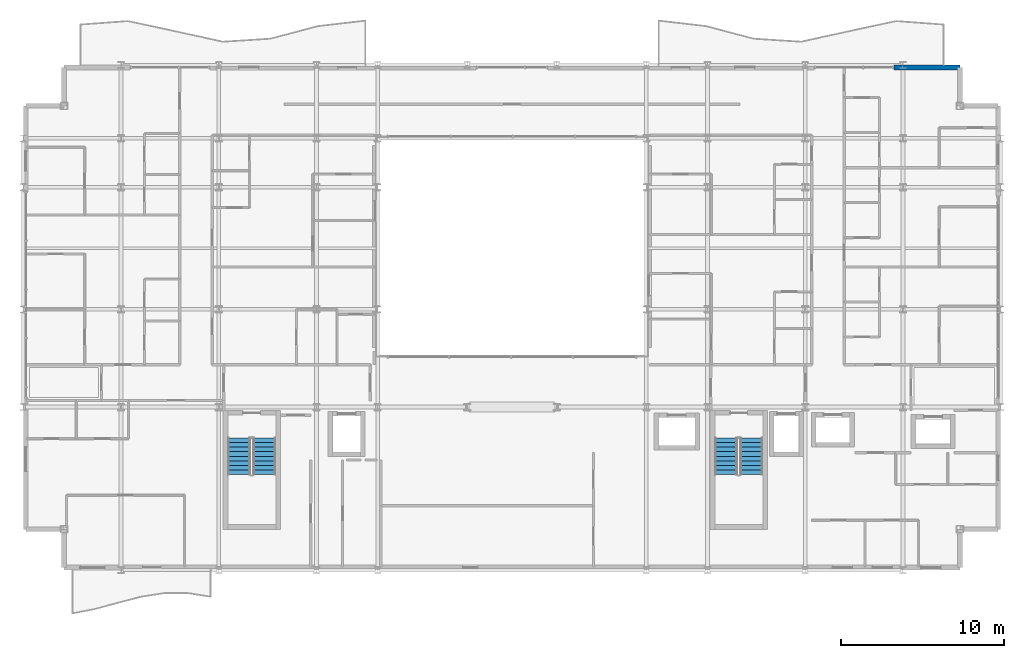
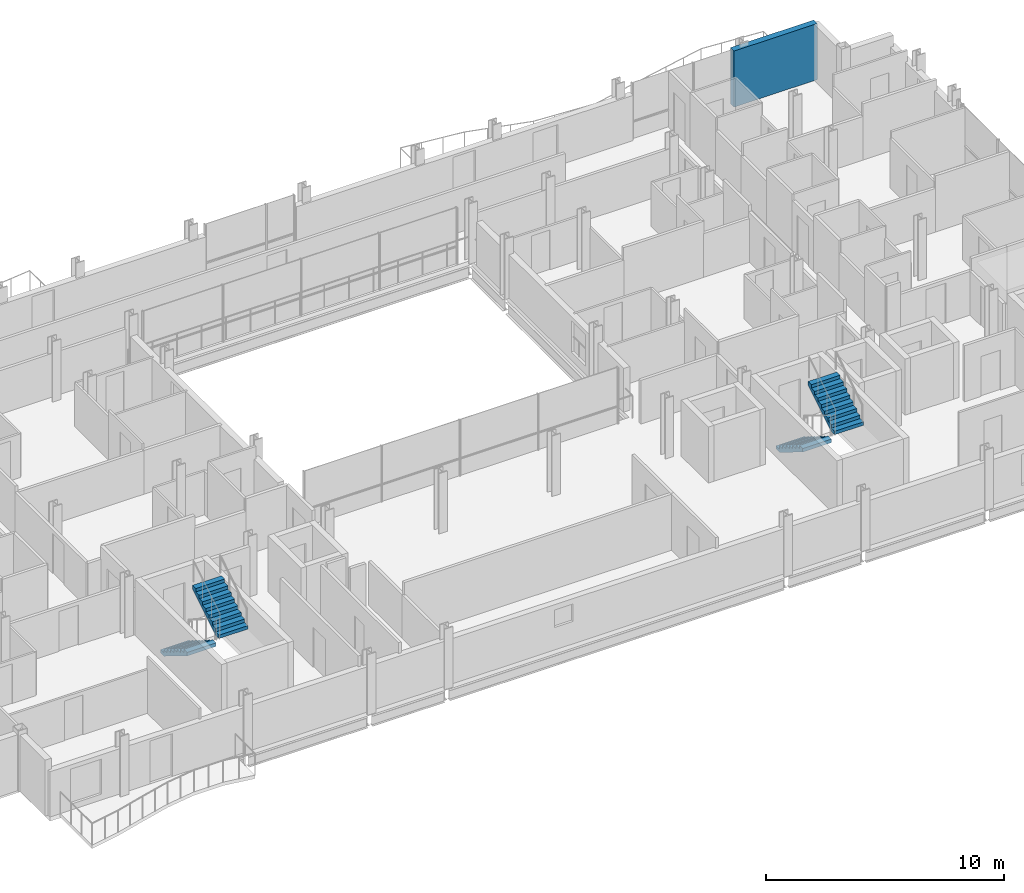
# One storey, part 37 of 40: 4 stair flights, 1 wall, 2 elements without a shape of their own.
"""IFC4 building model written with IfcOpenShell, lengths in metres."""

from ifc_helpers import new_model, si_unit, direction, frame, frame_2d, origin, place, context, subcontext, project, spatial, polyline, rectangle, outline, extrude, material, layer, layer_set, type_object, element, aggregate, save


model = new_model("IFC4")

# Units and contexts
model_context = context("Model", 3, precision=1e-05, world=origin(), true_north=direction((0.0, 1.0)))
body_context = subcontext(model_context, "Body", "Model", "MODEL_VIEW")
ifc_project = project(units=[si_unit("LENGTHUNIT", "METRE"), si_unit("AREAUNIT", "SQUARE_METRE"), si_unit("VOLUMEUNIT", "CUBIC_METRE"), si_unit("PLANEANGLEUNIT", "RADIAN"), si_unit("MASSUNIT", "GRAM", prefix="KILO")], contexts=[model_context])

# Site, building, storey
site_placement = place(None, origin())
site = spatial("IfcSite", under=ifc_project, at=site_placement, CompositionType="ELEMENT")
building_placement = place(site_placement, origin())
building = spatial("IfcBuilding", under=site, at=building_placement, Name="Brevholm Reach", CompositionType="ELEMENT")
storey_placement = place(building_placement, frame((0.0, 0.0, 125.199951171875)))
storey = spatial("IfcBuildingStorey", under=building, at=storey_placement, Name="L37", CompositionType="ELEMENT", Elevation=125.199951171875)

# Wall
ifc_material_1 = material(Name="Concrete C40/50", Category="concrete")
ifc_layer_1 = layer(ifc_material_1, 0.300048828125)
ifc_layer_set_1 = layer_set([ifc_layer_1], Name="Concrete C40/50")
wall_type = type_object("IfcWallType", Name="WAL-EXT-300", PredefinedType="STANDARD", material=ifc_layer_set_1)
wall_placement = place(storey_placement, frame((53.449951171875, 30.85009765625, 0.0), z_axis=(0.0, 0.0, 1.0), x_axis=(1.0, 0.0, 0.0)))
element("IfcWall", 1, at=wall_placement, inside=storey, type_object=wall_type, Name="L37 Facade Wall WAL-L37-NP-E0", PredefinedType="STANDARD", context=body_context, shape_type="SweptSolid", body=[
    extrude(rectangle(XDim=4.050048828125, YDim=0.300048828125, at=frame_2d((2.02490234375, 0.0))), origin(), (0.0, 0.0, 1.0), 2.880126953125),
])

# Stair, stair flights
ifc_material_2 = material(Name="Precast Concrete C40/50", Category="concrete")
stair_type = type_object("IfcStairType", Name="STR-ESC-1400", PredefinedType="DOUBLE_RETURN_STAIR", material=ifc_material_2)
stair_1_placement = place(storey_placement, origin())
stair_1 = element("IfcStair", 2, at=stair_1_placement, inside=storey, type_object=stair_type, Name="L37 ST-1", PredefinedType="DOUBLE_RETURN_STAIR")
ifc_material_3 = material(Name="Precast Concrete C40/50", Category="concrete")
ifc_layer_2 = layer(ifc_material_3, 0.18505859375)
ifc_layer_set_2 = layer_set([ifc_layer_2], Name="Precast Concrete C40/50")
stair_flight_type = type_object("IfcStairFlightType", Name="STF-PRC-185", PredefinedType="STRAIGHT", material=ifc_layer_set_2)
stair_flight_1_placement = place(storey_placement, frame((13.25, 8.10009765625, 0.0), z_axis=(0.0, 0.0, 1.0), x_axis=(0.0, -1.0, 0.0)))
stair_flight_1 = element("IfcStairFlight", 3, at=stair_flight_1_placement, type_object=stair_flight_type, Name="ST-1 flight 1", NumberOfRisers=9, NumberOfTreads=8, PredefinedType="STRAIGHT", RiserHeight=0.172222222, TreadLength=0.28, context=body_context, shape_type="SweptSolid", body=[
    extrude(outline(polyline([(0.0, 0.0), (0.0, 0.172119140625), (0.280029296875, 0.172119140625), (0.280029296875, 0.344482421875), (0.56005859375, 0.344482421875), (0.56005859375, 0.5166015625), (0.840087890625, 0.5166015625), (0.840087890625, 0.68896484375), (1.1201171875, 0.68896484375), (1.1201171875, 0.861083984375), (1.39990234375, 0.861083984375), (1.39990234375, 1.033447265625), (1.679931640625, 1.033447265625), (1.679931640625, 1.20556640625), (1.9599609375, 1.20556640625), (1.9599609375, 1.377685546875), (2.239990234375, 1.377685546875), (2.239990234375, 1.550048828125), (2.239990234375, 1.201904296875), (0.2861328125, 0.0), (0.0, 0.0)])), frame((0.0, 0.699951171875, 0.0), z_axis=(0.0, -1.0, 0.0), x_axis=(1.0, 0.0, 0.0)), (0.0, 0.0, 1.0), 1.39990234375),
])
stair_flight_2_placement = place(storey_placement, frame((14.800048828125, 5.860107421875, 1.550048828125), z_axis=(0.0, 0.0, 1.0), x_axis=(0.0, 1.0, 0.0)))
stair_flight_2 = element("IfcStairFlight", 4, at=stair_flight_2_placement, type_object=stair_flight_type, Name="ST-1 flight 2", NumberOfRisers=9, NumberOfTreads=8, PredefinedType="STRAIGHT", RiserHeight=0.172222222, TreadLength=0.28, context=body_context, shape_type="SweptSolid", body=[
    extrude(outline(polyline([(0.0, 0.0), (0.0, 0.172119140625), (0.280029296875, 0.172119140625), (0.280029296875, 0.344482421875), (0.56005859375, 0.344482421875), (0.56005859375, 0.5166015625), (0.840087890625, 0.5166015625), (0.840087890625, 0.68896484375), (1.1201171875, 0.68896484375), (1.1201171875, 0.861083984375), (1.39990234375, 0.861083984375), (1.39990234375, 1.033447265625), (1.679931640625, 1.033447265625), (1.679931640625, 1.20556640625), (1.9599609375, 1.20556640625), (1.9599609375, 1.377685546875), (2.239990234375, 1.377685546875), (2.239990234375, 1.550048828125), (2.239990234375, 1.201904296875), (0.2861328125, 0.0), (0.0, 0.0)])), frame((0.0, 0.699951171875, 0.0), z_axis=(0.0, -1.0, 0.0), x_axis=(1.0, 0.0, 0.0)), (0.0, 0.0, 1.0), 1.39990234375),
])
aggregate(stair_1, [stair_flight_1, stair_flight_2])

stair_2_placement = place(storey_placement, origin())
stair_2 = element("IfcStair", 5, at=stair_2_placement, inside=storey, type_object=stair_type, Name="L37 ST-2", PredefinedType="DOUBLE_RETURN_STAIR")
stair_flight_3_placement = place(storey_placement, frame((43.14990234375, 8.10009765625, 0.0), z_axis=(0.0, 0.0, 1.0), x_axis=(0.0, -1.0, 0.0)))
stair_flight_3 = element("IfcStairFlight", 6, at=stair_flight_3_placement, type_object=stair_flight_type, Name="ST-2 flight 1", NumberOfRisers=9, NumberOfTreads=8, PredefinedType="STRAIGHT", RiserHeight=0.172222222, TreadLength=0.28, context=body_context, shape_type="SweptSolid", body=[
    extrude(outline(polyline([(0.0, 0.0), (0.0, 0.172119140625), (0.280029296875, 0.172119140625), (0.280029296875, 0.344482421875), (0.56005859375, 0.344482421875), (0.56005859375, 0.5166015625), (0.840087890625, 0.5166015625), (0.840087890625, 0.68896484375), (1.1201171875, 0.68896484375), (1.1201171875, 0.861083984375), (1.39990234375, 0.861083984375), (1.39990234375, 1.033447265625), (1.679931640625, 1.033447265625), (1.679931640625, 1.20556640625), (1.9599609375, 1.20556640625), (1.9599609375, 1.377685546875), (2.239990234375, 1.377685546875), (2.239990234375, 1.550048828125), (2.239990234375, 1.201904296875), (0.2861328125, 0.0), (0.0, 0.0)])), frame((0.0, 0.699951171875, 0.0), z_axis=(0.0, -1.0, 0.0), x_axis=(1.0, 0.0, 0.0)), (0.0, 0.0, 1.0), 1.39990234375),
])
stair_flight_4_placement = place(storey_placement, frame((44.699951171875, 5.860107421875, 1.550048828125), z_axis=(0.0, 0.0, 1.0), x_axis=(0.0, 1.0, 0.0)))
stair_flight_4 = element("IfcStairFlight", 7, at=stair_flight_4_placement, type_object=stair_flight_type, Name="ST-2 flight 2", NumberOfRisers=9, NumberOfTreads=8, PredefinedType="STRAIGHT", RiserHeight=0.172222222, TreadLength=0.28, context=body_context, shape_type="SweptSolid", body=[
    extrude(outline(polyline([(0.0, 0.0), (0.0, 0.172119140625), (0.280029296875, 0.172119140625), (0.280029296875, 0.344482421875), (0.56005859375, 0.344482421875), (0.56005859375, 0.5166015625), (0.840087890625, 0.5166015625), (0.840087890625, 0.68896484375), (1.1201171875, 0.68896484375), (1.1201171875, 0.861083984375), (1.39990234375, 0.861083984375), (1.39990234375, 1.033447265625), (1.679931640625, 1.033447265625), (1.679931640625, 1.20556640625), (1.9599609375, 1.20556640625), (1.9599609375, 1.377685546875), (2.239990234375, 1.377685546875), (2.239990234375, 1.550048828125), (2.239990234375, 1.201904296875), (0.2861328125, 0.0), (0.0, 0.0)])), frame((0.0, 0.699951171875, 0.0), z_axis=(0.0, -1.0, 0.0), x_axis=(1.0, 0.0, 0.0)), (0.0, 0.0, 1.0), 1.39990234375),
])
aggregate(stair_2, [stair_flight_3, stair_flight_4])

save(model, "model.ifc")
